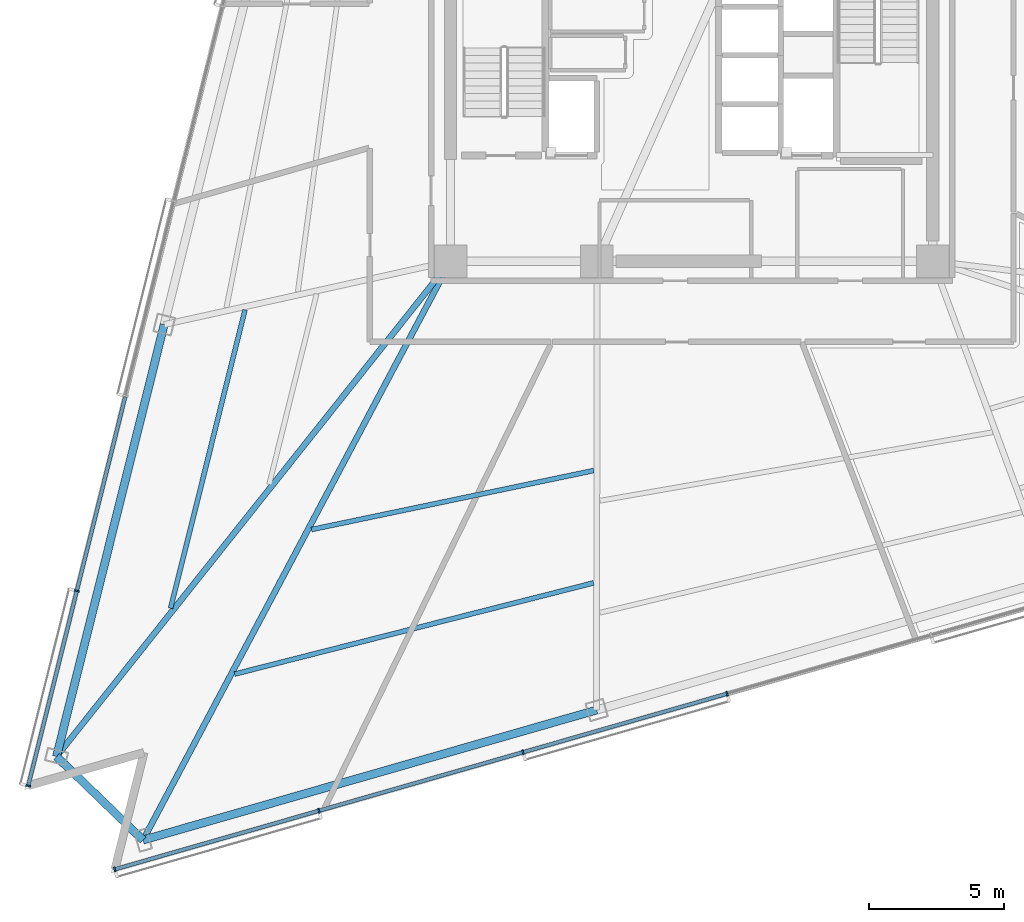
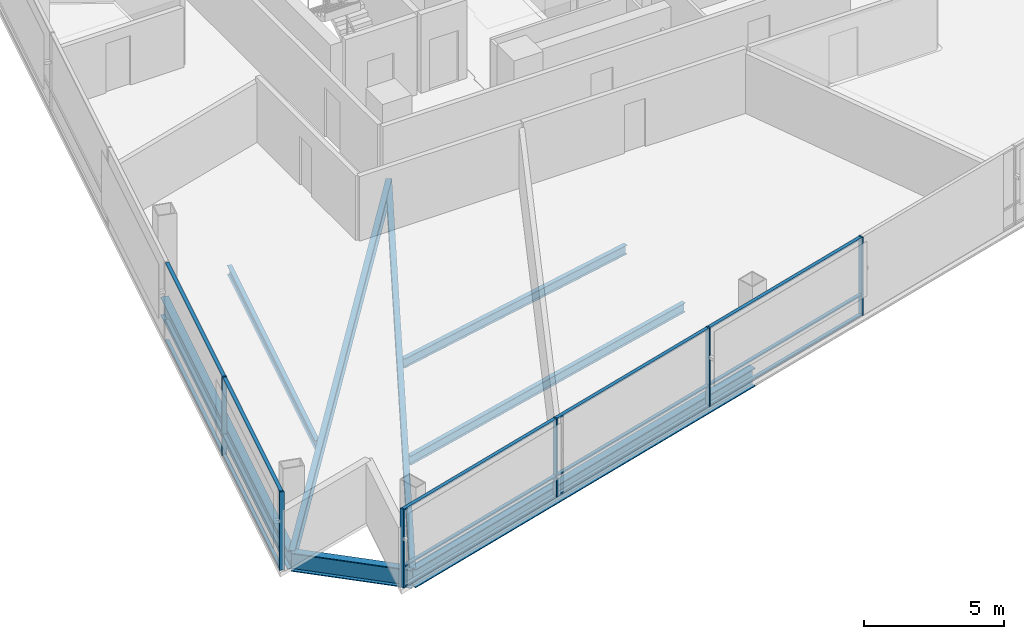
# One storey, part 2 of 17: 21 members, 8 beams, 2 elements without a shape of their own.
"""IFC4 building model written with IfcOpenShell, lengths in metres."""

from ifc_helpers import new_model, si_unit, direction, frame, origin, origin_2d, place, context, subcontext, project, spatial, rectangle, i_section, extrude, material, layer, layer_set, material_profile, profile_set, type_object, element, aggregate, save


model = new_model("IFC4")

# Units and contexts
model_context = context("Model", 3, precision=1e-05, world=origin(), true_north=direction((0.0, 1.0)))
body_context = subcontext(model_context, "Body", "Model", "MODEL_VIEW")
ifc_project = project(units=[si_unit("LENGTHUNIT", "METRE"), si_unit("AREAUNIT", "SQUARE_METRE"), si_unit("VOLUMEUNIT", "CUBIC_METRE"), si_unit("PLANEANGLEUNIT", "RADIAN"), si_unit("MASSUNIT", "GRAM", prefix="KILO")], contexts=[model_context])

# Site, building, storey
site_placement = place(None, origin())
site = spatial("IfcSite", under=ifc_project, at=site_placement, CompositionType="ELEMENT")
building_placement = place(site_placement, origin())
building = spatial("IfcBuilding", under=site, at=building_placement, Name="Tharavind Bronze Gate", CompositionType="ELEMENT")
storey_placement = place(building_placement, frame((0.0, 0.0, 93.300048828125)))
storey = spatial("IfcBuildingStorey", under=building, at=storey_placement, Name="L23", CompositionType="ELEMENT", Elevation=93.300048828125)

# Curtain wall, members
ifc_material_1 = material(Name="Anodised Bronze Aluminium", Category="aluminium")
ifc_layer = layer(ifc_material_1, 0.219970703125)
ifc_layer_set = layer_set([ifc_layer], Name="Anodised Bronze Aluminium")
curtain_wall_type = type_object("IfcCurtainWallType", Name="UNITISED CURTAIN WALL LOWER OFFICE", PredefinedType="USERDEFINED", material=ifc_layer_set)
curtain_wall_1_placement = place(storey_placement, origin())
curtain_wall_1 = element("IfcCurtainWall", 1, at=curtain_wall_1_placement, inside=storey, type_object=curtain_wall_type, Name="L23 unitised curtain wall lower office CW-L23-S1", ObjectType="UNITISED CURTAIN WALL", PredefinedType="USERDEFINED")
member_type_1 = type_object("IfcMemberType", Name="CURTAIN WALL BRONZE MULLION 65X180", PredefinedType="MULLION", material=ifc_material_1)
member_1_placement = place(storey_placement, frame((-22.695556640625, -19.76953125, 0.0), z_axis=(0.0, 0.0, 1.0), x_axis=(-0.2419218956, -0.970295726276, 0.0)))
member_1 = element("IfcMember", 2, at=member_1_placement, type_object=member_type_1, Name="CW-L23-S1 mullion 7", PredefinedType="MULLION", context=body_context, shape_type="SweptSolid", body=[
    extrude(rectangle(XDim=0.06494140625, YDim=0.179931640625, at=origin_2d()), origin(), (0.0, 0.0, 1.0), 3.409912109375),
])
member_2_placement = place(storey_placement, frame((-24.4892578125, -26.963623046875, 0.0), z_axis=(0.0, 0.0, 1.0), x_axis=(-0.2419218956, -0.970295726276, 0.0)))
member_2 = element("IfcMember", 3, at=member_2_placement, type_object=member_type_1, Name="CW-L23-S1 mullion 8", PredefinedType="MULLION", context=body_context, shape_type="SweptSolid", body=[
    extrude(rectangle(XDim=0.06494140625, YDim=0.179931640625, at=origin_2d()), origin(), (0.0, 0.0, 1.0), 3.409912109375),
])

curtain_wall_2_placement = place(storey_placement, origin())
curtain_wall_2 = element("IfcCurtainWall", 4, at=curtain_wall_2_placement, inside=storey, type_object=curtain_wall_type, Name="L23 unitised curtain wall lower office CW-L23-S2", ObjectType="UNITISED CURTAIN WALL", PredefinedType="USERDEFINED")
member_3_placement = place(storey_placement, frame((-21.29541015625, -30.0478515625, 0.0), z_axis=(0.0, 0.0, 1.0), x_axis=(0.961261695938, 0.275637355817, 0.0)))
member_3 = element("IfcMember", 5, at=member_3_placement, type_object=member_type_1, Name="CW-L23-S2 mullion 1", PredefinedType="MULLION", context=body_context, shape_type="SweptSolid", body=[
    extrude(rectangle(XDim=0.06494140625, YDim=0.179931640625, at=origin_2d()), origin(), (0.0, 0.0, 1.0), 3.409912109375),
])
member_4_placement = place(storey_placement, frame((-13.761962890625, -27.8876953125, 0.0), z_axis=(0.0, 0.0, 1.0), x_axis=(0.961261695938, 0.275637355817, 0.0)))
member_4 = element("IfcMember", 6, at=member_4_placement, type_object=member_type_1, Name="CW-L23-S2 mullion 2", PredefinedType="MULLION", context=body_context, shape_type="SweptSolid", body=[
    extrude(rectangle(XDim=0.06494140625, YDim=0.179931640625, at=origin_2d()), origin(), (0.0, 0.0, 1.0), 3.409912109375),
])
member_5_placement = place(storey_placement, frame((-6.228515625, -25.727294921875, 0.0), z_axis=(0.0, 0.0, 1.0), x_axis=(0.961261695938, 0.275637355817, 0.0)))
member_5 = element("IfcMember", 7, at=member_5_placement, type_object=member_type_1, Name="CW-L23-S2 mullion 3", PredefinedType="MULLION", context=body_context, shape_type="SweptSolid", body=[
    extrude(rectangle(XDim=0.06494140625, YDim=0.179931640625, at=origin_2d()), origin(), (0.0, 0.0, 1.0), 3.409912109375),
])
member_6_placement = place(storey_placement, frame((1.304931640625, -23.567138671875, 0.0), z_axis=(0.0, 0.0, 1.0), x_axis=(0.961261695938, 0.275637355817, 0.0)))
member_6 = element("IfcMember", 8, at=member_6_placement, type_object=member_type_1, Name="CW-L23-S2 mullion 4", PredefinedType="MULLION", context=body_context, shape_type="SweptSolid", body=[
    extrude(rectangle(XDim=0.06494140625, YDim=0.179931640625, at=origin_2d()), origin(), (0.0, 0.0, 1.0), 3.409912109375),
])

# Member
member_type_2 = type_object("IfcMemberType", Name="CURTAIN WALL BRONZE TRANSOM 65X140", PredefinedType="USERDEFINED", material=ifc_material_1)
member_7_placement = place(storey_placement, frame((-21.798828125, -16.172607421875, 0.0), z_axis=(0.0, 0.0, 1.0), x_axis=(-0.2419218956, -0.970295726276, 0.0)))
member_7 = element("IfcMember", 9, at=member_7_placement, type_object=member_type_2, Name="CW-L23-S1 transom TB6", ObjectType="TRANSOM", PredefinedType="USERDEFINED", context=body_context, shape_type="SweptSolid", body=[
    extrude(rectangle(XDim=7.361083984375, YDim=0.139892578125, at=origin_2d()), origin(), (0.0, 0.0, 1.0), 0.06494140625),
])

member_8_placement = place(storey_placement, frame((-21.798828125, -16.172607421875, 0.867431640625), z_axis=(0.0, 0.0, 1.0), x_axis=(-0.2419218956, -0.970295726276, 0.0)))
member_8 = element("IfcMember", 10, at=member_8_placement, type_object=member_type_2, Name="CW-L23-S1 transom TS6", ObjectType="TRANSOM", PredefinedType="USERDEFINED", context=body_context, shape_type="SweptSolid", body=[
    extrude(rectangle(XDim=7.361083984375, YDim=0.139892578125, at=origin_2d()), origin(), (0.0, 0.0, 1.0), 0.06494140625),
])

member_9_placement = place(storey_placement, frame((-21.798828125, -16.172607421875, 3.344970703125), z_axis=(0.0, 0.0, 1.0), x_axis=(-0.2419218956, -0.970295726276, 0.0)))
member_9 = element("IfcMember", 11, at=member_9_placement, type_object=member_type_2, Name="CW-L23-S1 transom TT6", ObjectType="TRANSOM", PredefinedType="USERDEFINED", context=body_context, shape_type="SweptSolid", body=[
    extrude(rectangle(XDim=7.361083984375, YDim=0.139892578125, at=origin_2d()), origin(), (0.0, 0.0, 1.0), 0.06494140625),
])

member_10_placement = place(storey_placement, frame((-23.592529296875, -23.36669921875, 0.0), z_axis=(0.0, 0.0, 1.0), x_axis=(-0.2419218956, -0.970295726276, 0.0)))
member_10 = element("IfcMember", 12, at=member_10_placement, type_object=member_type_2, Name="CW-L23-S1 transom TB7", ObjectType="TRANSOM", PredefinedType="USERDEFINED", context=body_context, shape_type="SweptSolid", body=[
    extrude(rectangle(XDim=7.361083984375, YDim=0.139892578125, at=origin_2d()), origin(), (0.0, 0.0, 1.0), 0.06494140625),
])

member_11_placement = place(storey_placement, frame((-23.592529296875, -23.36669921875, 0.867431640625), z_axis=(0.0, 0.0, 1.0), x_axis=(-0.2419218956, -0.970295726276, 0.0)))
member_11 = element("IfcMember", 13, at=member_11_placement, type_object=member_type_2, Name="CW-L23-S1 transom TS7", ObjectType="TRANSOM", PredefinedType="USERDEFINED", context=body_context, shape_type="SweptSolid", body=[
    extrude(rectangle(XDim=7.361083984375, YDim=0.139892578125, at=origin_2d()), origin(), (0.0, 0.0, 1.0), 0.06494140625),
])

member_12_placement = place(storey_placement, frame((-23.592529296875, -23.36669921875, 3.344970703125), z_axis=(0.0, 0.0, 1.0), x_axis=(-0.2419218956, -0.970295726276, 0.0)))
member_12 = element("IfcMember", 14, at=member_12_placement, type_object=member_type_2, Name="CW-L23-S1 transom TT7", ObjectType="TRANSOM", PredefinedType="USERDEFINED", context=body_context, shape_type="SweptSolid", body=[
    extrude(rectangle(XDim=7.361083984375, YDim=0.139892578125, at=origin_2d()), origin(), (0.0, 0.0, 1.0), 0.06494140625),
])

aggregate(curtain_wall_1, [member_1, member_2, member_7, member_8, member_9, member_10, member_11, member_12])

member_13_placement = place(storey_placement, frame((-17.52880859375, -28.9677734375, 0.0), z_axis=(0.0, 0.0, 1.0), x_axis=(0.961261695938, 0.275637355817, 0.0)))
member_13 = element("IfcMember", 15, at=member_13_placement, type_object=member_type_2, Name="CW-L23-S2 transom TB1", ObjectType="TRANSOM", PredefinedType="USERDEFINED", context=body_context, shape_type="SweptSolid", body=[
    extrude(rectangle(XDim=7.7841796875, YDim=0.139892578125, at=origin_2d()), origin(), (0.0, 0.0, 1.0), 0.06494140625),
])

member_14_placement = place(storey_placement, frame((-17.52880859375, -28.9677734375, 0.867431640625), z_axis=(0.0, 0.0, 1.0), x_axis=(0.961261695938, 0.275637355817, 0.0)))
member_14 = element("IfcMember", 16, at=member_14_placement, type_object=member_type_2, Name="CW-L23-S2 transom TS1", ObjectType="TRANSOM", PredefinedType="USERDEFINED", context=body_context, shape_type="SweptSolid", body=[
    extrude(rectangle(XDim=7.7841796875, YDim=0.139892578125, at=origin_2d()), origin(), (0.0, 0.0, 1.0), 0.06494140625),
])

member_15_placement = place(storey_placement, frame((-17.52880859375, -28.9677734375, 3.344970703125), z_axis=(0.0, 0.0, 1.0), x_axis=(0.961261695938, 0.275637355817, 0.0)))
member_15 = element("IfcMember", 17, at=member_15_placement, type_object=member_type_2, Name="CW-L23-S2 transom TT1", ObjectType="TRANSOM", PredefinedType="USERDEFINED", context=body_context, shape_type="SweptSolid", body=[
    extrude(rectangle(XDim=7.7841796875, YDim=0.139892578125, at=origin_2d()), origin(), (0.0, 0.0, 1.0), 0.06494140625),
])

member_16_placement = place(storey_placement, frame((-9.995361328125, -26.8076171875, 0.0), z_axis=(0.0, 0.0, 1.0), x_axis=(0.961261695938, 0.275637355817, 0.0)))
member_16 = element("IfcMember", 18, at=member_16_placement, type_object=member_type_2, Name="CW-L23-S2 transom TB2", ObjectType="TRANSOM", PredefinedType="USERDEFINED", context=body_context, shape_type="SweptSolid", body=[
    extrude(rectangle(XDim=7.7841796875, YDim=0.139892578125, at=origin_2d()), origin(), (0.0, 0.0, 1.0), 0.06494140625),
])

member_17_placement = place(storey_placement, frame((-9.995361328125, -26.8076171875, 0.867431640625), z_axis=(0.0, 0.0, 1.0), x_axis=(0.961261695938, 0.275637355817, 0.0)))
member_17 = element("IfcMember", 19, at=member_17_placement, type_object=member_type_2, Name="CW-L23-S2 transom TS2", ObjectType="TRANSOM", PredefinedType="USERDEFINED", context=body_context, shape_type="SweptSolid", body=[
    extrude(rectangle(XDim=7.7841796875, YDim=0.139892578125, at=origin_2d()), origin(), (0.0, 0.0, 1.0), 0.06494140625),
])

member_18_placement = place(storey_placement, frame((-9.995361328125, -26.8076171875, 3.344970703125), z_axis=(0.0, 0.0, 1.0), x_axis=(0.961261695938, 0.275637355817, 0.0)))
member_18 = element("IfcMember", 20, at=member_18_placement, type_object=member_type_2, Name="CW-L23-S2 transom TT2", ObjectType="TRANSOM", PredefinedType="USERDEFINED", context=body_context, shape_type="SweptSolid", body=[
    extrude(rectangle(XDim=7.7841796875, YDim=0.139892578125, at=origin_2d()), origin(), (0.0, 0.0, 1.0), 0.06494140625),
])

member_19_placement = place(storey_placement, frame((-2.4619140625, -24.647216796875, 0.0), z_axis=(0.0, 0.0, 1.0), x_axis=(0.961261695938, 0.275637355817, 0.0)))
member_19 = element("IfcMember", 21, at=member_19_placement, type_object=member_type_2, Name="CW-L23-S2 transom TB3", ObjectType="TRANSOM", PredefinedType="USERDEFINED", context=body_context, shape_type="SweptSolid", body=[
    extrude(rectangle(XDim=7.7841796875, YDim=0.139892578125, at=origin_2d()), origin(), (0.0, 0.0, 1.0), 0.06494140625),
])

member_20_placement = place(storey_placement, frame((-2.4619140625, -24.647216796875, 0.867431640625), z_axis=(0.0, 0.0, 1.0), x_axis=(0.961261695938, 0.275637355817, 0.0)))
member_20 = element("IfcMember", 22, at=member_20_placement, type_object=member_type_2, Name="CW-L23-S2 transom TS3", ObjectType="TRANSOM", PredefinedType="USERDEFINED", context=body_context, shape_type="SweptSolid", body=[
    extrude(rectangle(XDim=7.7841796875, YDim=0.139892578125, at=origin_2d()), origin(), (0.0, 0.0, 1.0), 0.06494140625),
])

member_21_placement = place(storey_placement, frame((-2.4619140625, -24.647216796875, 3.344970703125), z_axis=(0.0, 0.0, 1.0), x_axis=(0.961261695938, 0.275637355817, 0.0)))
member_21 = element("IfcMember", 23, at=member_21_placement, type_object=member_type_2, Name="CW-L23-S2 transom TT3", ObjectType="TRANSOM", PredefinedType="USERDEFINED", context=body_context, shape_type="SweptSolid", body=[
    extrude(rectangle(XDim=7.7841796875, YDim=0.139892578125, at=origin_2d()), origin(), (0.0, 0.0, 1.0), 0.06494140625),
])

aggregate(curtain_wall_2, [member_3, member_4, member_5, member_6, member_13, member_14, member_15, member_16, member_17, member_18, member_19, member_20, member_21])

# Beams
ifc_material_2 = material(Name="Steel S355", Category="steel")
ifc_material_profile_1 = material_profile(ifc_material_2, i_section(OverallWidth=0.219970703125, OverallDepth=0.60009765625, WebThickness=0.011962890625, FlangeThickness=0.01904296875, at=origin_2d()), Name="IPE600")
ifc_profile_set_1 = profile_set([ifc_material_profile_1], Name="Steel S355")
beam_type_1 = type_object("IfcBeamType", Name="PRIMARY GIRDER IPE600", PredefinedType="USERDEFINED", material=ifc_profile_set_1)
beam_1_placement = place(storey_placement, frame((-23.447265625, -25.884521484375, -0.489990234375), z_axis=(0.622600502265, 0.782539848557, 0.0), x_axis=(-0.782539848557, 0.622600502265, 0.0)))
element("IfcBeam", 24, at=beam_1_placement, inside=storey, type_object=beam_type_1, Name="L23 primary girder ipe600 BM-L23-RAD04", ObjectType="GIRDER", PredefinedType="USERDEFINED", context=body_context, shape_type="SweptSolid", body=[
    extrude(i_section(OverallWidth=0.219970703125, OverallDepth=0.60009765625, WebThickness=0.011962890625, FlangeThickness=0.01904296875, at=origin_2d()), origin(), (0.0, 0.0, 1.0), 23.365478515625),
])
beam_2_placement = place(storey_placement, frame((-20.25341796875, -28.96875, -0.489990234375), z_axis=(0.469200962238, 0.883091420542, 0.0), x_axis=(-0.883091420542, 0.469200962238, 0.0)))
element("IfcBeam", 25, at=beam_2_placement, inside=storey, type_object=beam_type_1, Name="L23 primary girder ipe600 BM-L23-RAD05", ObjectType="GIRDER", PredefinedType="USERDEFINED", context=body_context, shape_type="SweptSolid", body=[
    extrude(i_section(OverallWidth=0.219970703125, OverallDepth=0.60009765625, WebThickness=0.011962890625, FlangeThickness=0.01904296875, at=origin_2d()), origin(), (0.0, 0.0, 1.0), 24.197509765625),
])
ifc_material_profile_2 = material_profile(ifc_material_2, i_section(OverallWidth=0.300048828125, OverallDepth=0.800048828125, WebThickness=0.017578125, FlangeThickness=0.032958984375, at=origin_2d()), Name="HE800B")
ifc_profile_set_2 = profile_set([ifc_material_profile_2], Name="Steel S355")
beam_type_2 = type_object("IfcBeamType", Name="RING GIRDER HE800B", PredefinedType="USERDEFINED", material=ifc_profile_set_2)
beam_3_placement = place(storey_placement, frame((-19.4716796875, -9.93896484375, -0.590087890625), z_axis=(-0.24191686251, -0.970296981152, 0.0), x_axis=(0.970296981152, -0.24191686251, 0.0)))
element("IfcBeam", 26, at=beam_3_placement, inside=storey, type_object=beam_type_2, Name="L23 ring girder he800b BM-L23-PRG03", ObjectType="GIRDER", PredefinedType="USERDEFINED", context=body_context, shape_type="SweptSolid", body=[
    extrude(i_section(OverallWidth=0.300048828125, OverallDepth=0.800048828125, WebThickness=0.017578125, FlangeThickness=0.032958984375, at=origin_2d()), origin(), (0.0, 0.0, 1.0), 16.43359375),
])
beam_4_placement = place(storey_placement, frame((-23.447265625, -25.884521484375, -0.590087890625), z_axis=(0.719343662261, -0.694654371299, 0.0), x_axis=(0.694654371299, 0.719343662261, 0.0)))
element("IfcBeam", 27, at=beam_4_placement, inside=storey, type_object=beam_type_2, Name="L23 ring girder he800b BM-L23-PRG04", ObjectType="GIRDER", PredefinedType="USERDEFINED", context=body_context, shape_type="SweptSolid", body=[
    extrude(i_section(OverallWidth=0.300048828125, OverallDepth=0.800048828125, WebThickness=0.017578125, FlangeThickness=0.032958984375, at=origin_2d()), origin(), (0.0, 0.0, 1.0), 4.43994140625),
])
beam_5_placement = place(storey_placement, frame((-20.25341796875, -28.96875, -0.590087890625), z_axis=(0.961261198388, 0.275639090974, 0.0), x_axis=(-0.275639090974, 0.961261198388, 0.0)))
element("IfcBeam", 28, at=beam_5_placement, inside=storey, type_object=beam_type_2, Name="L23 ring girder he800b BM-L23-PRG05", ObjectType="GIRDER", PredefinedType="USERDEFINED", context=body_context, shape_type="SweptSolid", body=[
    extrude(i_section(OverallWidth=0.300048828125, OverallDepth=0.800048828125, WebThickness=0.017578125, FlangeThickness=0.032958984375, at=origin_2d()), origin(), (0.0, 0.0, 1.0), 17.42041015625),
])
ifc_material_profile_3 = material_profile(ifc_material_2, i_section(OverallWidth=0.179931640625, OverallDepth=0.39990234375, WebThickness=0.008544921875, FlangeThickness=0.013427734375, at=origin_2d()), Name="IPE400")
ifc_profile_set_3 = profile_set([ifc_material_profile_3], Name="Steel S355")
beam_type_3 = type_object("IfcBeamType", Name="SECONDARY FLOOR JOIST IPE400", PredefinedType="JOIST", material=ifc_profile_set_3)
beam_6_placement = place(storey_placement, frame((-16.489501953125, -9.3955078125, -0.39013671875), z_axis=(-0.241903146974, -0.970300400641, 0.0), x_axis=(0.970300400641, -0.241903146974, 0.0)))
element("IfcBeam", 29, at=beam_6_placement, inside=storey, type_object=beam_type_3, Name="L23 secondary floor joist ipe400 BM-L23-JSTB03", PredefinedType="JOIST", context=body_context, shape_type="SweptSolid", body=[
    extrude(i_section(OverallWidth=0.179931640625, OverallDepth=0.39990234375, WebThickness=0.008544921875, FlangeThickness=0.013427734375, at=origin_2d()), origin(), (0.0, 0.0, 1.0), 11.35400390625),
])
beam_7_placement = place(storey_placement, frame((-14.035400390625, -17.50634765625, -0.39013671875), z_axis=(0.97881885556, 0.204728229614, 0.0), x_axis=(-0.204728229614, 0.97881885556, 0.0)))
element("IfcBeam", 30, at=beam_7_placement, inside=storey, type_object=beam_type_3, Name="L23 secondary floor joist ipe400 BM-L23-JSTA05", PredefinedType="JOIST", context=body_context, shape_type="SweptSolid", body=[
    extrude(i_section(OverallWidth=0.179931640625, OverallDepth=0.39990234375, WebThickness=0.008544921875, FlangeThickness=0.013427734375, at=origin_2d()), origin(), (0.0, 0.0, 1.0), 10.64306640625),
])
beam_8_placement = place(storey_placement, frame((-16.869873046875, -22.841064453125, -0.39013671875), z_axis=(0.969204659951, 0.246256628601, 0.0), x_axis=(-0.246256628601, 0.969204659951, 0.0)))
element("IfcBeam", 31, at=beam_8_placement, inside=storey, type_object=beam_type_3, Name="L23 secondary floor joist ipe400 BM-L23-JSTB05", PredefinedType="JOIST", context=body_context, shape_type="SweptSolid", body=[
    extrude(i_section(OverallWidth=0.179931640625, OverallDepth=0.39990234375, WebThickness=0.008544921875, FlangeThickness=0.013427734375, at=origin_2d()), origin(), (0.0, 0.0, 1.0), 13.67138671875),
])

save(model, "model.ifc")
